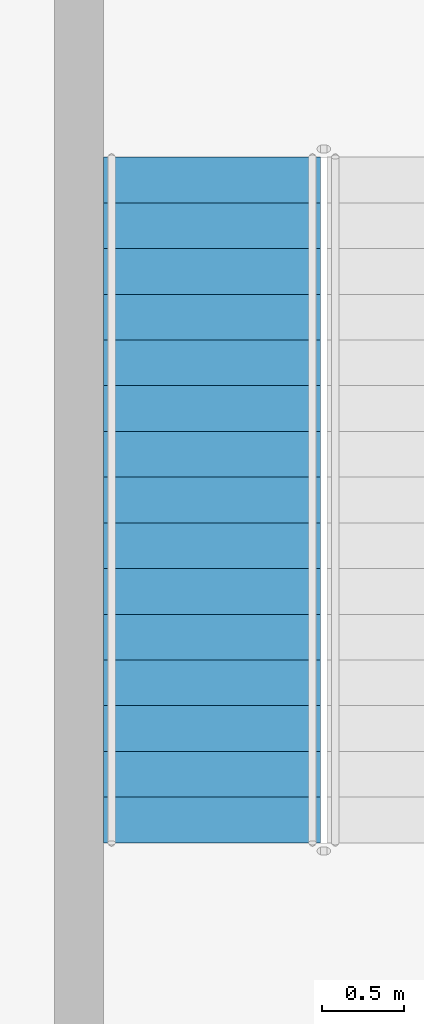
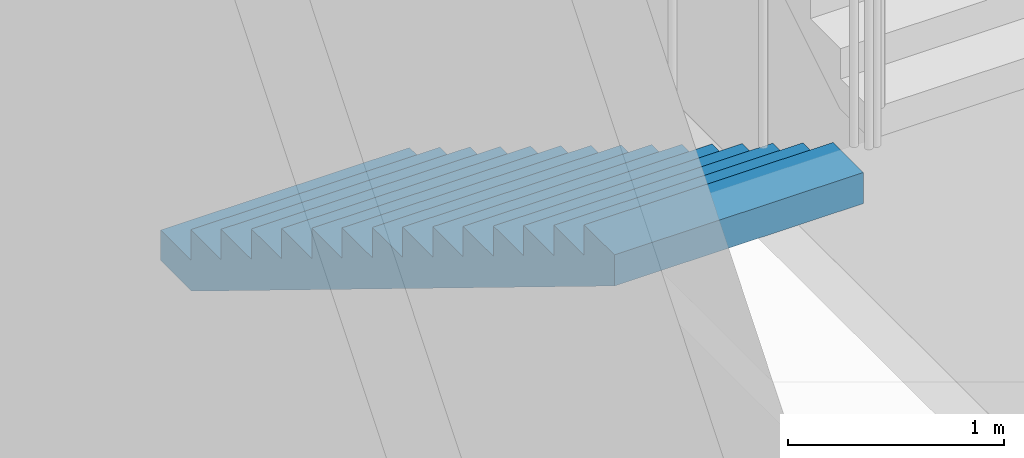
# One storey, part 9 of 23: 1 stair flight, 1 element without a shape of its own.
"""IFC4 building model written with IfcOpenShell, lengths in metres."""

from ifc_helpers import new_model, si_unit, direction, frame, origin, place, context, subcontext, project, spatial, triangles, source, transform, mapped, material, type_object, element, aggregate, save


model = new_model("IFC4")

# Units and contexts
model_context = context("Model", 3, precision=1e-05, world=origin(), true_north=direction((0.0, 1.0)))
body_context = subcontext(model_context, "Body", "Model", "MODEL_VIEW")
ifc_project = project(units=[si_unit("LENGTHUNIT", "METRE"), si_unit("AREAUNIT", "SQUARE_METRE"), si_unit("VOLUMEUNIT", "CUBIC_METRE"), si_unit("PLANEANGLEUNIT", "RADIAN"), si_unit("MASSUNIT", "GRAM", prefix="KILO")], contexts=[model_context])

# Site, building, storey
site_placement = place(None, origin())
site = spatial("IfcSite", under=ifc_project, at=site_placement, CompositionType="ELEMENT")
building_placement = place(site_placement, origin())
building = spatial("IfcBuilding", under=site, at=building_placement, Name="Ogive Portal Towers", CompositionType="ELEMENT")
storey_placement = place(building_placement, frame((0.0, 0.0, 81.60009765625)))
storey = spatial("IfcBuildingStorey", under=building, at=storey_placement, Name="L19", CompositionType="ELEMENT", Elevation=81.60009765625)

# Stair, stair flight
ifc_material = material(Name="Concrete C40/50", Category="concrete")
stair_type = type_object("IfcStairType", Name="INT-STAIR", PredefinedType="HALF_TURN_STAIR", material=ifc_material)
stair_placement = place(storey_placement, origin())
stair = element("IfcStair", 1, at=stair_placement, inside=storey, type_object=stair_type, Name="L19 Exit Stair ST-A4", PredefinedType="HALF_TURN_STAIR")
stair_flight_type = type_object("IfcStairFlightType", Name="INT-FLIGHT", PredefinedType="STRAIGHT", material=ifc_material)
shared_shape = source(origin(), body_context, "Body", "Tessellation", [
    triangles([(0.0, -0.6650390625, 0.0), (0.0, -0.384765625, 0.0), (0.0, -0.197021484375, 0.0), (0.0, -0.0830078125, 0.0), (0.0, -0.024658203125, 0.0), (0.0, -0.003173828125, 0.0), (0.0, 0.0, 0.0), (0.0, 0.003173828125, 0.0), (0.0, 0.024658203125, 0.0), (0.0, 0.0830078125, 0.0), (0.0, 0.197021484375, 0.0), (0.0, 0.384765625, 0.0), (0.0, 0.6650390625, 0.0), (0.0, -0.6650390625, 0.171875), (0.0, -0.384765625, 0.171875), (0.0, -0.197021484375, 0.171875), (0.0, -0.0830078125, 0.171875), (0.0, -0.024658203125, 0.171875), (0.0, -0.003173828125, 0.171875), (0.0, 0.0, 0.171875), (0.0, 0.003173828125, 0.171875), (0.0, 0.024658203125, 0.171875), (0.0, 0.0830078125, 0.171875), (0.0, 0.197021484375, 0.171875), (0.0, 0.384765625, 0.171875), (0.0, 0.6650390625, 0.171875), (0.280029296875, -0.6650390625, 0.171875), (0.280029296875, -0.384765625, 0.171875), (0.280029296875, -0.197021484375, 0.171875), (0.280029296875, -0.0830078125, 0.171875), (0.280029296875, -0.024658203125, 0.171875), (0.280029296875, -0.003173828125, 0.171875), (0.280029296875, 0.0, 0.171875), (0.280029296875, 0.003173828125, 0.171875), (0.280029296875, 0.024658203125, 0.171875), (0.280029296875, 0.0830078125, 0.171875), (0.280029296875, 0.197021484375, 0.171875), (0.280029296875, 0.384765625, 0.171875), (0.280029296875, 0.6650390625, 0.171875), (0.280029296875, -0.6650390625, 0.34375), (0.280029296875, -0.384765625, 0.34375), (0.280029296875, -0.197021484375, 0.34375), (0.280029296875, -0.0830078125, 0.34375), (0.280029296875, -0.024658203125, 0.34375), (0.280029296875, -0.003173828125, 0.34375), (0.280029296875, 0.0, 0.34375), (0.280029296875, 0.003173828125, 0.34375), (0.280029296875, 0.024658203125, 0.34375), (0.280029296875, 0.0830078125, 0.34375), (0.280029296875, 0.197021484375, 0.34375), (0.280029296875, 0.384765625, 0.34375), (0.280029296875, 0.6650390625, 0.34375), (0.56005859375, -0.6650390625, 0.34375), (0.56005859375, -0.384765625, 0.34375), (0.56005859375, -0.197021484375, 0.34375), (0.56005859375, -0.0830078125, 0.34375), (0.56005859375, -0.024658203125, 0.34375), (0.56005859375, -0.003173828125, 0.34375), (0.56005859375, 0.0, 0.34375), (0.56005859375, 0.003173828125, 0.34375), (0.56005859375, 0.024658203125, 0.34375), (0.56005859375, 0.0830078125, 0.34375), (0.56005859375, 0.197021484375, 0.34375), (0.56005859375, 0.384765625, 0.34375), (0.56005859375, 0.6650390625, 0.34375), (0.56005859375, -0.6650390625, 0.515625), (0.56005859375, -0.384765625, 0.515625), (0.56005859375, -0.197021484375, 0.515625), (0.56005859375, -0.0830078125, 0.515625), (0.56005859375, -0.024658203125, 0.515625), (0.56005859375, -0.003173828125, 0.515625), (0.56005859375, 0.0, 0.515625), (0.56005859375, 0.003173828125, 0.515625), (0.56005859375, 0.024658203125, 0.515625), (0.56005859375, 0.0830078125, 0.515625), (0.56005859375, 0.197021484375, 0.515625), (0.56005859375, 0.384765625, 0.515625), (0.56005859375, 0.6650390625, 0.515625), (0.840087890625, -0.6650390625, 0.515625), (0.840087890625, -0.384765625, 0.515625), (0.840087890625, -0.197021484375, 0.515625), (0.840087890625, -0.0830078125, 0.515625), (0.840087890625, -0.024658203125, 0.515625), (0.840087890625, -0.003173828125, 0.515625), (0.840087890625, 0.0, 0.515625), (0.840087890625, 0.003173828125, 0.515625), (0.840087890625, 0.024658203125, 0.515625), (0.840087890625, 0.0830078125, 0.515625), (0.840087890625, 0.197021484375, 0.515625), (0.840087890625, 0.384765625, 0.515625), (0.840087890625, 0.6650390625, 0.515625), (0.840087890625, -0.6650390625, 0.6875), (0.840087890625, -0.384765625, 0.6875), (0.840087890625, -0.197021484375, 0.6875), (0.840087890625, -0.0830078125, 0.6875), (0.840087890625, -0.024658203125, 0.6875), (0.840087890625, -0.003173828125, 0.6875), (0.840087890625, 0.0, 0.6875), (0.840087890625, 0.003173828125, 0.6875), (0.840087890625, 0.024658203125, 0.6875), (0.840087890625, 0.0830078125, 0.6875), (0.840087890625, 0.197021484375, 0.6875), (0.840087890625, 0.384765625, 0.6875), (0.840087890625, 0.6650390625, 0.6875), (1.1201171875, -0.6650390625, 0.6875), (1.1201171875, -0.384765625, 0.6875), (1.1201171875, -0.197021484375, 0.6875), (1.1201171875, -0.0830078125, 0.6875), (1.1201171875, -0.024658203125, 0.6875), (1.1201171875, -0.003173828125, 0.6875), (1.1201171875, 0.0, 0.6875), (1.1201171875, 0.003173828125, 0.6875), (1.1201171875, 0.024658203125, 0.6875), (1.1201171875, 0.0830078125, 0.6875), (1.1201171875, 0.197021484375, 0.6875), (1.1201171875, 0.384765625, 0.6875), (1.1201171875, 0.6650390625, 0.6875), (1.1201171875, -0.6650390625, 0.859375), (1.1201171875, -0.384765625, 0.859375), (1.1201171875, -0.197021484375, 0.859375), (1.1201171875, -0.0830078125, 0.859375), (1.1201171875, -0.024658203125, 0.859375), (1.1201171875, -0.003173828125, 0.859375), (1.1201171875, 0.0, 0.859375), (1.1201171875, 0.003173828125, 0.859375), (1.1201171875, 0.024658203125, 0.859375), (1.1201171875, 0.0830078125, 0.859375), (1.1201171875, 0.197021484375, 0.859375), (1.1201171875, 0.384765625, 0.859375), (1.1201171875, 0.6650390625, 0.859375), (1.39990234375, -0.6650390625, 0.859375), (1.39990234375, -0.384765625, 0.859375), (1.39990234375, -0.197021484375, 0.859375), (1.39990234375, -0.0830078125, 0.859375), (1.39990234375, -0.024658203125, 0.859375), (1.39990234375, -0.003173828125, 0.859375), (1.39990234375, 0.0, 0.859375), (1.39990234375, 0.003173828125, 0.859375), (1.39990234375, 0.024658203125, 0.859375), (1.39990234375, 0.0830078125, 0.859375), (1.39990234375, 0.197021484375, 0.859375), (1.39990234375, 0.384765625, 0.859375), (1.39990234375, 0.6650390625, 0.859375), (1.39990234375, -0.6650390625, 1.03125), (1.39990234375, -0.384765625, 1.03125), (1.39990234375, -0.197021484375, 1.03125), (1.39990234375, -0.0830078125, 1.03125), (1.39990234375, -0.024658203125, 1.03125), (1.39990234375, -0.003173828125, 1.03125), (1.39990234375, 0.0, 1.03125), (1.39990234375, 0.003173828125, 1.03125), (1.39990234375, 0.024658203125, 1.03125), (1.39990234375, 0.0830078125, 1.03125), (1.39990234375, 0.197021484375, 1.03125), (1.39990234375, 0.384765625, 1.03125), (1.39990234375, 0.6650390625, 1.03125), (1.679931640625, -0.6650390625, 1.03125), (1.679931640625, -0.384765625, 1.03125), (1.679931640625, -0.197021484375, 1.03125), (1.679931640625, -0.0830078125, 1.03125), (1.679931640625, -0.024658203125, 1.03125), (1.679931640625, -0.003173828125, 1.03125), (1.679931640625, 0.0, 1.03125), (1.679931640625, 0.003173828125, 1.03125), (1.679931640625, 0.024658203125, 1.03125), (1.679931640625, 0.0830078125, 1.03125), (1.679931640625, 0.197021484375, 1.03125), (1.679931640625, 0.384765625, 1.03125), (1.679931640625, 0.6650390625, 1.03125), (1.679931640625, -0.6650390625, 1.203125), (1.679931640625, -0.384765625, 1.203125), (1.679931640625, -0.197021484375, 1.203125), (1.679931640625, -0.0830078125, 1.203125), (1.679931640625, -0.024658203125, 1.203125), (1.679931640625, -0.003173828125, 1.203125), (1.679931640625, 0.0, 1.203125), (1.679931640625, 0.003173828125, 1.203125), (1.679931640625, 0.024658203125, 1.203125), (1.679931640625, 0.0830078125, 1.203125), (1.679931640625, 0.197021484375, 1.203125), (1.679931640625, 0.384765625, 1.203125), (1.679931640625, 0.6650390625, 1.203125), (1.9599609375, -0.6650390625, 1.203125), (1.9599609375, -0.384765625, 1.203125), (1.9599609375, -0.197021484375, 1.203125), (1.9599609375, -0.0830078125, 1.203125), (1.9599609375, -0.024658203125, 1.203125), (1.9599609375, -0.003173828125, 1.203125), (1.9599609375, 0.0, 1.203125), (1.9599609375, 0.003173828125, 1.203125), (1.9599609375, 0.024658203125, 1.203125), (1.9599609375, 0.0830078125, 1.203125), (1.9599609375, 0.197021484375, 1.203125), (1.9599609375, 0.384765625, 1.203125), (1.9599609375, 0.6650390625, 1.203125), (1.9599609375, -0.6650390625, 1.375), (1.9599609375, -0.384765625, 1.375), (1.9599609375, -0.197021484375, 1.375), (1.9599609375, -0.0830078125, 1.375), (1.9599609375, -0.024658203125, 1.375), (1.9599609375, -0.003173828125, 1.375), (1.9599609375, 0.0, 1.375), (1.9599609375, 0.003173828125, 1.375), (1.9599609375, 0.024658203125, 1.375), (1.9599609375, 0.0830078125, 1.375), (1.9599609375, 0.197021484375, 1.375), (1.9599609375, 0.384765625, 1.375), (1.9599609375, 0.6650390625, 1.375), (2.239990234375, -0.6650390625, 1.375), (2.239990234375, -0.384765625, 1.375), (2.239990234375, -0.197021484375, 1.375), (2.239990234375, -0.0830078125, 1.375), (2.239990234375, -0.024658203125, 1.375), (2.239990234375, -0.003173828125, 1.375), (2.239990234375, 0.0, 1.375), (2.239990234375, 0.003173828125, 1.375), (2.239990234375, 0.024658203125, 1.375), (2.239990234375, 0.0830078125, 1.375), (2.239990234375, 0.197021484375, 1.375), (2.239990234375, 0.384765625, 1.375), (2.239990234375, 0.6650390625, 1.375), (2.239990234375, -0.6650390625, 1.546875), (2.239990234375, -0.384765625, 1.546875), (2.239990234375, -0.197021484375, 1.546875), (2.239990234375, -0.0830078125, 1.546875), (2.239990234375, -0.024658203125, 1.546875), (2.239990234375, -0.003173828125, 1.546875), (2.239990234375, 0.0, 1.546875), (2.239990234375, 0.003173828125, 1.546875), (2.239990234375, 0.024658203125, 1.546875), (2.239990234375, 0.0830078125, 1.546875), (2.239990234375, 0.197021484375, 1.546875), (2.239990234375, 0.384765625, 1.546875), (2.239990234375, 0.6650390625, 1.546875), (2.52001953125, -0.6650390625, 1.546875), (2.52001953125, -0.384765625, 1.546875), (2.52001953125, -0.197021484375, 1.546875), (2.52001953125, -0.0830078125, 1.546875), (2.52001953125, -0.024658203125, 1.546875), (2.52001953125, -0.003173828125, 1.546875), (2.52001953125, 0.0, 1.546875), (2.52001953125, 0.003173828125, 1.546875), (2.52001953125, 0.024658203125, 1.546875), (2.52001953125, 0.0830078125, 1.546875), (2.52001953125, 0.197021484375, 1.546875), (2.52001953125, 0.384765625, 1.546875), (2.52001953125, 0.6650390625, 1.546875), (2.52001953125, -0.6650390625, 1.71875), (2.52001953125, -0.384765625, 1.71875), (2.52001953125, -0.197021484375, 1.71875), (2.52001953125, -0.0830078125, 1.71875), (2.52001953125, -0.024658203125, 1.71875), (2.52001953125, -0.003173828125, 1.71875), (2.52001953125, 0.0, 1.71875), (2.52001953125, 0.003173828125, 1.71875), (2.52001953125, 0.024658203125, 1.71875), (2.52001953125, 0.0830078125, 1.71875), (2.52001953125, 0.197021484375, 1.71875), (2.52001953125, 0.384765625, 1.71875), (2.52001953125, 0.6650390625, 1.71875), (2.800048828125, -0.6650390625, 1.71875), (2.800048828125, -0.384765625, 1.71875), (2.800048828125, -0.197021484375, 1.71875), (2.800048828125, -0.0830078125, 1.71875), (2.800048828125, -0.024658203125, 1.71875), (2.800048828125, -0.003173828125, 1.71875), (2.800048828125, 0.0, 1.71875), (2.800048828125, 0.003173828125, 1.71875), (2.800048828125, 0.024658203125, 1.71875), (2.800048828125, 0.0830078125, 1.71875), (2.800048828125, 0.197021484375, 1.71875), (2.800048828125, 0.384765625, 1.71875), (2.800048828125, 0.6650390625, 1.71875), (2.800048828125, -0.6650390625, 1.890625), (2.800048828125, -0.384765625, 1.890625), (2.800048828125, -0.197021484375, 1.890625), (2.800048828125, -0.0830078125, 1.890625), (2.800048828125, -0.024658203125, 1.890625), (2.800048828125, -0.003173828125, 1.890625), (2.800048828125, 0.0, 1.890625), (2.800048828125, 0.003173828125, 1.890625), (2.800048828125, 0.024658203125, 1.890625), (2.800048828125, 0.0830078125, 1.890625), (2.800048828125, 0.197021484375, 1.890625), (2.800048828125, 0.384765625, 1.890625), (2.800048828125, 0.6650390625, 1.890625), (3.080078125, -0.6650390625, 1.890625), (3.080078125, -0.384765625, 1.890625), (3.080078125, -0.197021484375, 1.890625), (3.080078125, -0.0830078125, 1.890625), (3.080078125, -0.024658203125, 1.890625), (3.080078125, -0.003173828125, 1.890625), (3.080078125, 0.0, 1.890625), (3.080078125, 0.003173828125, 1.890625), (3.080078125, 0.024658203125, 1.890625), (3.080078125, 0.0830078125, 1.890625), (3.080078125, 0.197021484375, 1.890625), (3.080078125, 0.384765625, 1.890625), (3.080078125, 0.6650390625, 1.890625), (3.080078125, -0.6650390625, 2.0625), (3.080078125, -0.384765625, 2.0625), (3.080078125, -0.197021484375, 2.0625), (3.080078125, -0.0830078125, 2.0625), (3.080078125, -0.024658203125, 2.0625), (3.080078125, -0.003173828125, 2.0625), (3.080078125, 0.0, 2.0625), (3.080078125, 0.003173828125, 2.0625), (3.080078125, 0.024658203125, 2.0625), (3.080078125, 0.0830078125, 2.0625), (3.080078125, 0.197021484375, 2.0625), (3.080078125, 0.384765625, 2.0625), (3.080078125, 0.6650390625, 2.0625), (3.360107421875, -0.6650390625, 2.0625), (3.360107421875, -0.384765625, 2.0625), (3.360107421875, -0.197021484375, 2.0625), (3.360107421875, -0.0830078125, 2.0625), (3.360107421875, -0.024658203125, 2.0625), (3.360107421875, -0.003173828125, 2.0625), (3.360107421875, 0.0, 2.0625), (3.360107421875, 0.003173828125, 2.0625), (3.360107421875, 0.024658203125, 2.0625), (3.360107421875, 0.0830078125, 2.0625), (3.360107421875, 0.197021484375, 2.0625), (3.360107421875, 0.384765625, 2.0625), (3.360107421875, 0.6650390625, 2.0625), (3.360107421875, -0.6650390625, 2.234375), (3.360107421875, -0.384765625, 2.234375), (3.360107421875, -0.197021484375, 2.234375), (3.360107421875, -0.0830078125, 2.234375), (3.360107421875, -0.024658203125, 2.234375), (3.360107421875, -0.003173828125, 2.234375), (3.360107421875, 0.0, 2.234375), (3.360107421875, 0.003173828125, 2.234375), (3.360107421875, 0.024658203125, 2.234375), (3.360107421875, 0.0830078125, 2.234375), (3.360107421875, 0.197021484375, 2.234375), (3.360107421875, 0.384765625, 2.234375), (3.360107421875, 0.6650390625, 2.234375), (3.639892578125, -0.6650390625, 2.234375), (3.639892578125, -0.384765625, 2.234375), (3.639892578125, -0.197021484375, 2.234375), (3.639892578125, -0.0830078125, 2.234375), (3.639892578125, -0.024658203125, 2.234375), (3.639892578125, -0.003173828125, 2.234375), (3.639892578125, 0.0, 2.234375), (3.639892578125, 0.003173828125, 2.234375), (3.639892578125, 0.024658203125, 2.234375), (3.639892578125, 0.0830078125, 2.234375), (3.639892578125, 0.197021484375, 2.234375), (3.639892578125, 0.384765625, 2.234375), (3.639892578125, 0.6650390625, 2.234375), (3.639892578125, -0.6650390625, 2.40625), (3.639892578125, -0.384765625, 2.40625), (3.639892578125, -0.197021484375, 2.40625), (3.639892578125, -0.0830078125, 2.40625), (3.639892578125, -0.024658203125, 2.40625), (3.639892578125, -0.003173828125, 2.40625), (3.639892578125, 0.0, 2.40625), (3.639892578125, 0.003173828125, 2.40625), (3.639892578125, 0.024658203125, 2.40625), (3.639892578125, 0.0830078125, 2.40625), (3.639892578125, 0.197021484375, 2.40625), (3.639892578125, 0.384765625, 2.40625), (3.639892578125, 0.6650390625, 2.40625), (3.919921875, -0.6650390625, 2.40625), (3.919921875, -0.384765625, 2.40625), (3.919921875, -0.197021484375, 2.40625), (3.919921875, -0.0830078125, 2.40625), (3.919921875, -0.024658203125, 2.40625), (3.919921875, -0.003173828125, 2.40625), (3.919921875, 0.0, 2.40625), (3.919921875, 0.003173828125, 2.40625), (3.919921875, 0.024658203125, 2.40625), (3.919921875, 0.0830078125, 2.40625), (3.919921875, 0.197021484375, 2.40625), (3.919921875, 0.384765625, 2.40625), (3.919921875, 0.6650390625, 2.40625), (3.919921875, -0.6650390625, 2.578125), (3.919921875, -0.384765625, 2.578125), (3.919921875, -0.197021484375, 2.578125), (3.919921875, -0.0830078125, 2.578125), (3.919921875, -0.024658203125, 2.578125), (3.919921875, -0.003173828125, 2.578125), (3.919921875, 0.0, 2.578125), (3.919921875, 0.003173828125, 2.578125), (3.919921875, 0.024658203125, 2.578125), (3.919921875, 0.0830078125, 2.578125), (3.919921875, 0.197021484375, 2.578125), (3.919921875, 0.384765625, 2.578125), (3.919921875, 0.6650390625, 2.578125), (4.199951171875, -0.6650390625, 2.578125), (4.199951171875, -0.384765625, 2.578125), (4.199951171875, -0.197021484375, 2.578125), (4.199951171875, -0.0830078125, 2.578125), (4.199951171875, -0.024658203125, 2.578125), (4.199951171875, -0.003173828125, 2.578125), (4.199951171875, 0.0, 2.578125), (4.199951171875, 0.003173828125, 2.578125), (4.199951171875, 0.024658203125, 2.578125), (4.199951171875, 0.0830078125, 2.578125), (4.199951171875, 0.197021484375, 2.578125), (4.199951171875, 0.384765625, 2.578125), (4.199951171875, 0.6650390625, 2.578125), (4.199951171875, -0.6650390625, 2.40234375), (4.199951171875, -0.384765625, 2.40234375), (4.199951171875, -0.197021484375, 2.40234375), (4.199951171875, -0.0830078125, 2.40234375), (4.199951171875, -0.024658203125, 2.40234375), (4.199951171875, -0.003173828125, 2.40234375), (4.199951171875, 0.0, 2.40234375), (4.199951171875, 0.003173828125, 2.40234375), (4.199951171875, 0.024658203125, 2.40234375), (4.199951171875, 0.0830078125, 2.40234375), (4.199951171875, 0.197021484375, 2.40234375), (4.199951171875, 0.384765625, 2.40234375), (4.199951171875, 0.6650390625, 2.40234375), (0.28662109375, -0.6650390625, 0.0), (0.28662109375, -0.384765625, 0.0), (0.28662109375, -0.197021484375, 0.0), (0.28662109375, -0.0830078125, 0.0), (0.28662109375, -0.024658203125, 0.0), (0.28662109375, -0.003173828125, 0.0), (0.28662109375, 0.0, 0.0), (0.28662109375, 0.003173828125, 0.0), (0.28662109375, 0.024658203125, 0.0), (0.28662109375, 0.0830078125, 0.0), (0.28662109375, 0.197021484375, 0.0), (0.28662109375, 0.384765625, 0.0), (0.28662109375, 0.6650390625, 0.0)], [[1, 14, 15], [1, 15, 2], [2, 15, 16], [2, 16, 3], [3, 16, 17], [3, 17, 4], [4, 17, 18], [4, 18, 5], [5, 18, 19], [5, 19, 6], [6, 19, 20], [6, 20, 7], [7, 20, 21], [7, 21, 8], [8, 21, 22], [8, 22, 9], [9, 22, 23], [9, 23, 10], [10, 23, 24], [10, 24, 11], [11, 24, 25], [11, 25, 12], [12, 25, 26], [12, 26, 13], [14, 27, 28], [14, 28, 15], [15, 28, 29], [15, 29, 16], [16, 29, 30], [16, 30, 17], [17, 30, 31], [17, 31, 18], [18, 31, 32], [18, 32, 19], [19, 32, 33], [19, 33, 20], [20, 33, 34], [20, 34, 21], [21, 34, 35], [21, 35, 22], [22, 35, 36], [22, 36, 23], [23, 36, 37], [23, 37, 24], [24, 37, 38], [24, 38, 25], [25, 38, 39], [25, 39, 26], [27, 40, 41], [27, 41, 28], [28, 41, 42], [28, 42, 29], [29, 42, 43], [29, 43, 30], [30, 43, 44], [30, 44, 31], [31, 44, 45], [31, 45, 32], [32, 45, 46], [32, 46, 33], [33, 46, 47], [33, 47, 34], [34, 47, 48], [34, 48, 35], [35, 48, 49], [35, 49, 36], [36, 49, 50], [36, 50, 37], [37, 50, 51], [37, 51, 38], [38, 51, 52], [38, 52, 39], [40, 53, 54], [40, 54, 41], [41, 54, 55], [41, 55, 42], [42, 55, 56], [42, 56, 43], [43, 56, 57], [43, 57, 44], [44, 57, 58], [44, 58, 45], [45, 58, 59], [45, 59, 46], [46, 59, 60], [46, 60, 47], [47, 60, 61], [47, 61, 48], [48, 61, 62], [48, 62, 49], [49, 62, 63], [49, 63, 50], [50, 63, 64], [50, 64, 51], [51, 64, 65], [51, 65, 52], [53, 66, 67], [53, 67, 54], [54, 67, 68], [54, 68, 55], [55, 68, 69], [55, 69, 56], [56, 69, 70], [56, 70, 57], [57, 70, 71], [57, 71, 58], [58, 71, 72], [58, 72, 59], [59, 72, 73], [59, 73, 60], [60, 73, 74], [60, 74, 61], [61, 74, 75], [61, 75, 62], [62, 75, 76], [62, 76, 63], [63, 76, 77], [63, 77, 64], [64, 77, 78], [64, 78, 65], [66, 79, 80], [66, 80, 67], [67, 80, 81], [67, 81, 68], [68, 81, 82], [68, 82, 69], [69, 82, 83], [69, 83, 70], [70, 83, 84], [70, 84, 71], [71, 84, 85], [71, 85, 72], [72, 85, 86], [72, 86, 73], [73, 86, 87], [73, 87, 74], [74, 87, 88], [74, 88, 75], [75, 88, 89], [75, 89, 76], [76, 89, 90], [76, 90, 77], [77, 90, 91], [77, 91, 78], [79, 92, 93], [79, 93, 80], [80, 93, 94], [80, 94, 81], [81, 94, 95], [81, 95, 82], [82, 95, 96], [82, 96, 83], [83, 96, 97], [83, 97, 84], [84, 97, 98], [84, 98, 85], [85, 98, 99], [85, 99, 86], [86, 99, 100], [86, 100, 87], [87, 100, 101], [87, 101, 88], [88, 101, 102], [88, 102, 89], [89, 102, 103], [89, 103, 90], [90, 103, 104], [90, 104, 91], [92, 105, 106], [92, 106, 93], [93, 106, 107], [93, 107, 94], [94, 107, 108], [94, 108, 95], [95, 108, 109], [95, 109, 96], [96, 109, 110], [96, 110, 97], [97, 110, 111], [97, 111, 98], [98, 111, 112], [98, 112, 99], [99, 112, 113], [99, 113, 100], [100, 113, 114], [100, 114, 101], [101, 114, 115], [101, 115, 102], [102, 115, 116], [102, 116, 103], [103, 116, 117], [103, 117, 104], [105, 118, 119], [105, 119, 106], [106, 119, 120], [106, 120, 107], [107, 120, 121], [107, 121, 108], [108, 121, 122], [108, 122, 109], [109, 122, 123], [109, 123, 110], [110, 123, 124], [110, 124, 111], [111, 124, 125], [111, 125, 112], [112, 125, 126], [112, 126, 113], [113, 126, 127], [113, 127, 114], [114, 127, 128], [114, 128, 115], [115, 128, 129], [115, 129, 116], [116, 129, 130], [116, 130, 117], [118, 131, 132], [118, 132, 119], [119, 132, 133], [119, 133, 120], [120, 133, 134], [120, 134, 121], [121, 134, 135], [121, 135, 122], [122, 135, 136], [122, 136, 123], [123, 136, 137], [123, 137, 124], [124, 137, 138], [124, 138, 125], [125, 138, 139], [125, 139, 126], [126, 139, 140], [126, 140, 127], [127, 140, 141], [127, 141, 128], [128, 141, 142], [128, 142, 129], [129, 142, 143], [129, 143, 130], [131, 144, 145], [131, 145, 132], [132, 145, 146], [132, 146, 133], [133, 146, 147], [133, 147, 134], [134, 147, 148], [134, 148, 135], [135, 148, 149], [135, 149, 136], [136, 149, 150], [136, 150, 137], [137, 150, 151], [137, 151, 138], [138, 151, 152], [138, 152, 139], [139, 152, 153], [139, 153, 140], [140, 153, 154], [140, 154, 141], [141, 154, 155], [141, 155, 142], [142, 155, 156], [142, 156, 143], [144, 157, 158], [144, 158, 145], [145, 158, 159], [145, 159, 146], [146, 159, 160], [146, 160, 147], [147, 160, 161], [147, 161, 148], [148, 161, 162], [148, 162, 149], [149, 162, 163], [149, 163, 150], [150, 163, 164], [150, 164, 151], [151, 164, 165], [151, 165, 152], [152, 165, 166], [152, 166, 153], [153, 166, 167], [153, 167, 154], [154, 167, 168], [154, 168, 155], [155, 168, 169], [155, 169, 156], [157, 170, 171], [157, 171, 158], [158, 171, 172], [158, 172, 159], [159, 172, 173], [159, 173, 160], [160, 173, 174], [160, 174, 161], [161, 174, 175], [161, 175, 162], [162, 175, 176], [162, 176, 163], [163, 176, 177], [163, 177, 164], [164, 177, 178], [164, 178, 165], [165, 178, 179], [165, 179, 166], [166, 179, 180], [166, 180, 167], [167, 180, 181], [167, 181, 168], [168, 181, 182], [168, 182, 169], [170, 183, 184], [170, 184, 171], [171, 184, 185], [171, 185, 172], [172, 185, 186], [172, 186, 173], [173, 186, 187], [173, 187, 174], [174, 187, 188], [174, 188, 175], [175, 188, 189], [175, 189, 176], [176, 189, 190], [176, 190, 177], [177, 190, 191], [177, 191, 178], [178, 191, 192], [178, 192, 179], [179, 192, 193], [179, 193, 180], [180, 193, 194], [180, 194, 181], [181, 194, 195], [181, 195, 182], [183, 196, 197], [183, 197, 184], [184, 197, 198], [184, 198, 185], [185, 198, 199], [185, 199, 186], [186, 199, 200], [186, 200, 187], [187, 200, 201], [187, 201, 188], [188, 201, 202], [188, 202, 189], [189, 202, 203], [189, 203, 190], [190, 203, 204], [190, 204, 191], [191, 204, 205], [191, 205, 192], [192, 205, 206], [192, 206, 193], [193, 206, 207], [193, 207, 194], [194, 207, 208], [194, 208, 195], [196, 209, 210], [196, 210, 197], [197, 210, 211], [197, 211, 198], [198, 211, 212], [198, 212, 199], [199, 212, 213], [199, 213, 200], [200, 213, 214], [200, 214, 201], [201, 214, 215], [201, 215, 202], [202, 215, 216], [202, 216, 203], [203, 216, 217], [203, 217, 204], [204, 217, 218], [204, 218, 205], [205, 218, 219], [205, 219, 206], [206, 219, 220], [206, 220, 207], [207, 220, 221], [207, 221, 208], [209, 222, 223], [209, 223, 210], [210, 223, 224], [210, 224, 211], [211, 224, 225], [211, 225, 212], [212, 225, 226], [212, 226, 213], [213, 226, 227], [213, 227, 214], [214, 227, 228], [214, 228, 215], [215, 228, 229], [215, 229, 216], [216, 229, 230], [216, 230, 217], [217, 230, 231], [217, 231, 218], [218, 231, 232], [218, 232, 219], [219, 232, 233], [219, 233, 220], [220, 233, 234], [220, 234, 221], [222, 235, 236], [222, 236, 223], [223, 236, 237], [223, 237, 224], [224, 237, 238], [224, 238, 225], [225, 238, 239], [225, 239, 226], [226, 239, 240], [226, 240, 227], [227, 240, 241], [227, 241, 228], [228, 241, 242], [228, 242, 229], [229, 242, 243], [229, 243, 230], [230, 243, 244], [230, 244, 231], [231, 244, 245], [231, 245, 232], [232, 245, 246], [232, 246, 233], [233, 246, 247], [233, 247, 234], [235, 248, 249], [235, 249, 236], [236, 249, 250], [236, 250, 237], [237, 250, 251], [237, 251, 238], [238, 251, 252], [238, 252, 239], [239, 252, 253], [239, 253, 240], [240, 253, 254], [240, 254, 241], [241, 254, 255], [241, 255, 242], [242, 255, 256], [242, 256, 243], [243, 256, 257], [243, 257, 244], [244, 257, 258], [244, 258, 245], [245, 258, 259], [245, 259, 246], [246, 259, 260], [246, 260, 247], [248, 261, 262], [248, 262, 249], [249, 262, 263], [249, 263, 250], [250, 263, 264], [250, 264, 251], [251, 264, 265], [251, 265, 252], [252, 265, 266], [252, 266, 253], [253, 266, 267], [253, 267, 254], [254, 267, 268], [254, 268, 255], [255, 268, 269], [255, 269, 256], [256, 269, 270], [256, 270, 257], [257, 270, 271], [257, 271, 258], [258, 271, 272], [258, 272, 259], [259, 272, 273], [259, 273, 260], [261, 274, 275], [261, 275, 262], [262, 275, 276], [262, 276, 263], [263, 276, 277], [263, 277, 264], [264, 277, 278], [264, 278, 265], [265, 278, 279], [265, 279, 266], [266, 279, 280], [266, 280, 267], [267, 280, 281], [267, 281, 268], [268, 281, 282], [268, 282, 269], [269, 282, 283], [269, 283, 270], [270, 283, 284], [270, 284, 271], [271, 284, 285], [271, 285, 272], [272, 285, 286], [272, 286, 273], [274, 287, 288], [274, 288, 275], [275, 288, 289], [275, 289, 276], [276, 289, 290], [276, 290, 277], [277, 290, 291], [277, 291, 278], [278, 291, 292], [278, 292, 279], [279, 292, 293], [279, 293, 280], [280, 293, 294], [280, 294, 281], [281, 294, 295], [281, 295, 282], [282, 295, 296], [282, 296, 283], [283, 296, 297], [283, 297, 284], [284, 297, 298], [284, 298, 285], [285, 298, 299], [285, 299, 286], [287, 300, 301], [287, 301, 288], [288, 301, 302], [288, 302, 289], [289, 302, 303], [289, 303, 290], [290, 303, 304], [290, 304, 291], [291, 304, 305], [291, 305, 292], [292, 305, 306], [292, 306, 293], [293, 306, 307], [293, 307, 294], [294, 307, 308], [294, 308, 295], [295, 308, 309], [295, 309, 296], [296, 309, 310], [296, 310, 297], [297, 310, 311], [297, 311, 298], [298, 311, 312], [298, 312, 299], [300, 313, 314], [300, 314, 301], [301, 314, 315], [301, 315, 302], [302, 315, 316], [302, 316, 303], [303, 316, 317], [303, 317, 304], [304, 317, 318], [304, 318, 305], [305, 318, 319], [305, 319, 306], [306, 319, 320], [306, 320, 307], [307, 320, 321], [307, 321, 308], [308, 321, 322], [308, 322, 309], [309, 322, 323], [309, 323, 310], [310, 323, 324], [310, 324, 311], [311, 324, 325], [311, 325, 312], [313, 326, 327], [313, 327, 314], [314, 327, 328], [314, 328, 315], [315, 328, 329], [315, 329, 316], [316, 329, 330], [316, 330, 317], [317, 330, 331], [317, 331, 318], [318, 331, 332], [318, 332, 319], [319, 332, 333], [319, 333, 320], [320, 333, 334], [320, 334, 321], [321, 334, 335], [321, 335, 322], [322, 335, 336], [322, 336, 323], [323, 336, 337], [323, 337, 324], [324, 337, 338], [324, 338, 325], [326, 339, 340], [326, 340, 327], [327, 340, 341], [327, 341, 328], [328, 341, 342], [328, 342, 329], [329, 342, 343], [329, 343, 330], [330, 343, 344], [330, 344, 331], [331, 344, 345], [331, 345, 332], [332, 345, 346], [332, 346, 333], [333, 346, 347], [333, 347, 334], [334, 347, 348], [334, 348, 335], [335, 348, 349], [335, 349, 336], [336, 349, 350], [336, 350, 337], [337, 350, 351], [337, 351, 338], [339, 352, 353], [339, 353, 340], [340, 353, 354], [340, 354, 341], [341, 354, 355], [341, 355, 342], [342, 355, 356], [342, 356, 343], [343, 356, 357], [343, 357, 344], [344, 357, 358], [344, 358, 345], [345, 358, 359], [345, 359, 346], [346, 359, 360], [346, 360, 347], [347, 360, 361], [347, 361, 348], [348, 361, 362], [348, 362, 349], [349, 362, 363], [349, 363, 350], [350, 363, 364], [350, 364, 351], [352, 365, 366], [352, 366, 353], [353, 366, 367], [353, 367, 354], [354, 367, 368], [354, 368, 355], [355, 368, 369], [355, 369, 356], [356, 369, 370], [356, 370, 357], [357, 370, 371], [357, 371, 358], [358, 371, 372], [358, 372, 359], [359, 372, 373], [359, 373, 360], [360, 373, 374], [360, 374, 361], [361, 374, 375], [361, 375, 362], [362, 375, 376], [362, 376, 363], [363, 376, 377], [363, 377, 364], [365, 378, 379], [365, 379, 366], [366, 379, 380], [366, 380, 367], [367, 380, 381], [367, 381, 368], [368, 381, 382], [368, 382, 369], [369, 382, 383], [369, 383, 370], [370, 383, 384], [370, 384, 371], [371, 384, 385], [371, 385, 372], [372, 385, 386], [372, 386, 373], [373, 386, 387], [373, 387, 374], [374, 387, 388], [374, 388, 375], [375, 388, 389], [375, 389, 376], [376, 389, 390], [376, 390, 377], [378, 391, 392], [378, 392, 379], [379, 392, 393], [379, 393, 380], [380, 393, 394], [380, 394, 381], [381, 394, 395], [381, 395, 382], [382, 395, 396], [382, 396, 383], [383, 396, 397], [383, 397, 384], [384, 397, 398], [384, 398, 385], [385, 398, 399], [385, 399, 386], [386, 399, 400], [386, 400, 387], [387, 400, 401], [387, 401, 388], [388, 401, 402], [388, 402, 389], [389, 402, 403], [389, 403, 390], [391, 404, 405], [391, 405, 392], [392, 405, 406], [392, 406, 393], [393, 406, 407], [393, 407, 394], [394, 407, 408], [394, 408, 395], [395, 408, 409], [395, 409, 396], [396, 409, 410], [396, 410, 397], [397, 410, 411], [397, 411, 398], [398, 411, 412], [398, 412, 399], [399, 412, 413], [399, 413, 400], [400, 413, 414], [400, 414, 401], [401, 414, 415], [401, 415, 402], [402, 415, 416], [402, 416, 403], [404, 417, 418], [404, 418, 405], [405, 418, 419], [405, 419, 406], [406, 419, 420], [406, 420, 407], [407, 420, 421], [407, 421, 408], [408, 421, 422], [408, 422, 409], [409, 422, 423], [409, 423, 410], [410, 423, 424], [410, 424, 411], [411, 424, 425], [411, 425, 412], [412, 425, 426], [412, 426, 413], [413, 426, 427], [413, 427, 414], [414, 427, 428], [414, 428, 415], [415, 428, 429], [415, 429, 416], [417, 1, 2], [417, 2, 418], [418, 2, 3], [418, 3, 419], [419, 3, 4], [419, 4, 420], [420, 4, 5], [420, 5, 421], [421, 5, 6], [421, 6, 422], [422, 6, 7], [422, 7, 423], [423, 7, 8], [423, 8, 424], [424, 8, 9], [424, 9, 425], [425, 9, 10], [425, 10, 426], [426, 10, 11], [426, 11, 427], [427, 11, 12], [427, 12, 428], [428, 12, 13], [428, 13, 429], [1, 417, 404], [13, 416, 429], [404, 391, 378], [416, 390, 403], [404, 378, 365], [416, 377, 390], [404, 365, 352], [416, 364, 377], [404, 352, 339], [416, 351, 364], [339, 326, 313], [351, 325, 338], [404, 339, 313], [416, 325, 351], [313, 300, 287], [325, 299, 312], [404, 313, 287], [416, 299, 325], [287, 274, 261], [299, 273, 286], [404, 287, 261], [416, 273, 299], [261, 248, 235], [273, 247, 260], [404, 261, 235], [416, 247, 273], [235, 222, 209], [247, 221, 234], [404, 235, 209], [416, 221, 247], [209, 196, 183], [221, 195, 208], [404, 209, 183], [416, 195, 221], [183, 170, 157], [195, 169, 182], [404, 183, 157], [416, 169, 195], [157, 144, 131], [169, 143, 156], [404, 157, 131], [416, 143, 169], [131, 118, 105], [143, 117, 130], [404, 131, 105], [416, 117, 143], [105, 92, 79], [117, 91, 104], [404, 105, 79], [416, 91, 117], [79, 66, 53], [91, 65, 78], [404, 79, 53], [416, 65, 91], [53, 40, 27], [65, 39, 52], [404, 53, 27], [416, 39, 65], [1, 404, 27], [13, 39, 416], [27, 14, 1], [39, 13, 26]], closed=True),
])
stair_flight_placement = place(storey_placement, frame((87.6650390625, 29.169921875, 0.0), z_axis=(0.0, 0.0, 1.0), x_axis=(0.0, -1.0, 0.0)))
stair_flight = element("IfcStairFlight", 2, at=stair_flight_placement, type_object=stair_flight_type, Name="ST-A4 flight 1", NumberOfRisers=16, NumberOfTreads=15, PredefinedType="STRAIGHT", RiserHeight=0.171875, TreadLength=0.28, context=body_context, shape_type="MappedRepresentation", body=[
    mapped(shared_shape, transform((0.0, 0.0, 0.0), scale=1.0)),
])
aggregate(stair, [stair_flight])

save(model, "model.ifc")
